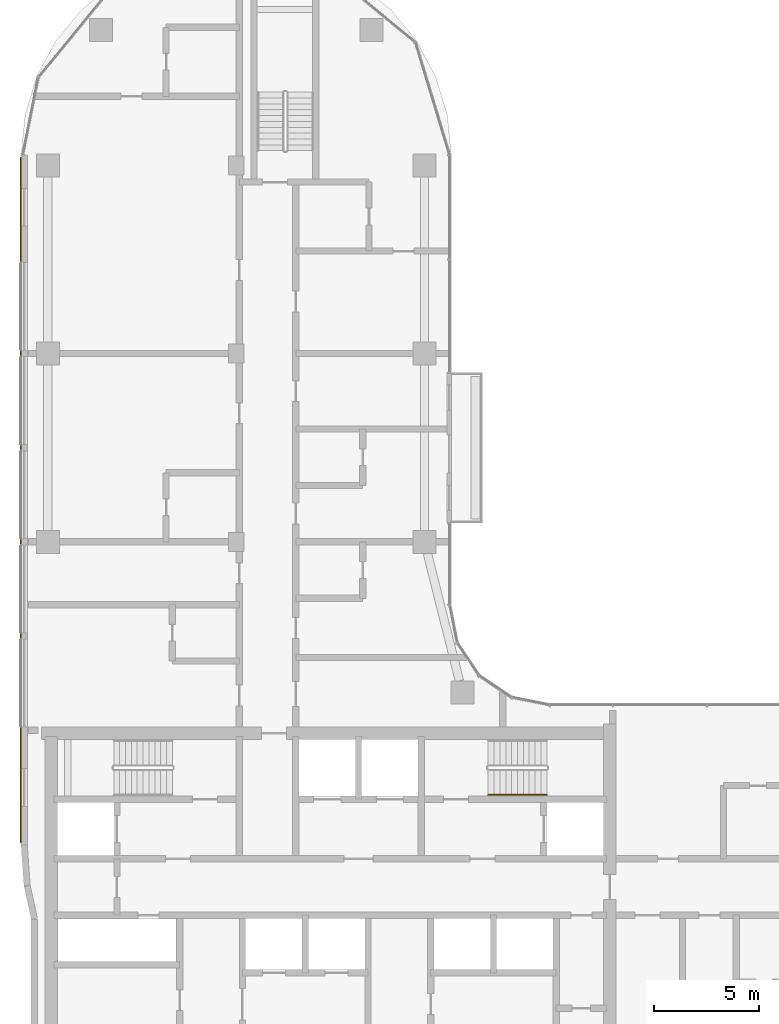
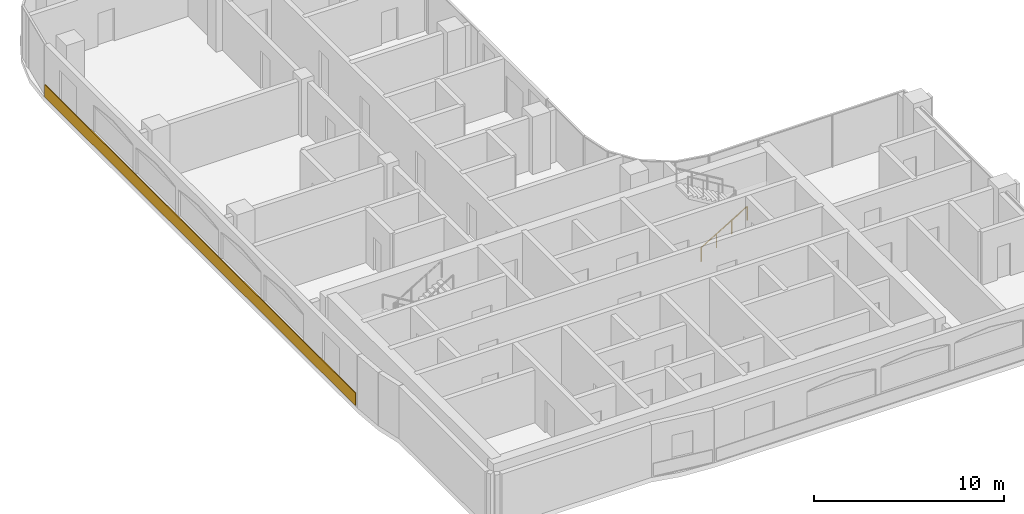
# One storey, part 19 of 23: 1 covering, 1 railing.
"""IFC4 building model written with IfcOpenShell, lengths in metres."""

from ifc_helpers import new_model, si_unit, direction, frame, origin, origin_2d, place, context, subcontext, project, spatial, rectangle, circle, extrude, material, layer, layer_set, type_object, element, save


model = new_model("IFC4")

# Units and contexts
model_context = context("Model", 3, precision=1e-05, world=origin(), true_north=direction((0.0, 1.0)))
body_context = subcontext(model_context, "Body", "Model", "MODEL_VIEW")
ifc_project = project(units=[si_unit("LENGTHUNIT", "METRE"), si_unit("AREAUNIT", "SQUARE_METRE"), si_unit("VOLUMEUNIT", "CUBIC_METRE"), si_unit("PLANEANGLEUNIT", "RADIAN"), si_unit("MASSUNIT", "GRAM", prefix="KILO")], contexts=[model_context])

# Site, building, storey
site_placement = place(None, origin())
site = spatial("IfcSite", under=ifc_project, at=site_placement, CompositionType="ELEMENT")
building_placement = place(site_placement, origin())
building = spatial("IfcBuilding", under=site, at=building_placement, Name="Ogive Portal Towers", CompositionType="ELEMENT")
storey_placement = place(building_placement, frame((0.0, 0.0, 164.39990234375)))
storey = spatial("IfcBuildingStorey", under=building, at=storey_placement, Name="L40", CompositionType="ELEMENT", Elevation=164.39990234375)

# Railing
ifc_material_1 = material(Name="Stainless steel handrail", Category="steel")
railing_type = type_object("IfcRailingType", Name="INT-HANDRAIL", PredefinedType="HANDRAIL", material=ifc_material_1)
railing_placement = place(storey_placement, frame((52.550048828125, 36.39990234375, 0.168212890625)))
element("IfcRailing", 1, at=railing_placement, inside=storey, type_object=railing_type, Name="L40 ST-A2 stair handrail 1", PredefinedType="HANDRAIL", context=body_context, shape_type="SweptSolid", body=[
    extrude(circle(Radius=0.02392578125, at=origin_2d()), frame((0.0, 0.0, 0.8759765625), z_axis=(0.857242210791, 0.0, 0.514913383045), x_axis=(0.0, 1.0, 0.0)), (0.0, 0.0, 1.0), 3.266357421875),
    extrude(circle(Radius=0.02099609375, at=origin_2d()), origin(), (0.0, 0.0, 1.0), 0.851806640625),
    extrude(circle(Radius=0.02099609375, at=origin_2d()), frame((0.933349609375, 0.0, 0.560546875)), (0.0, 0.0, 1.0), 0.851806640625),
    extrude(circle(Radius=0.02099609375, at=origin_2d()), frame((1.86669921875, 0.0, 1.121337890625)), (0.0, 0.0, 1.0), 0.851806640625),
    extrude(circle(Radius=0.02099609375, at=origin_2d()), frame((2.800048828125, 0.0, 1.681884765625)), (0.0, 0.0, 1.0), 0.851806640625),
])

# Covering
ifc_material_2 = material(Name="Limestone cladding on lightweight block wall", Category="masonry")
ifc_layer = layer(ifc_material_2, 0.050048828125)
ifc_layer_set = layer_set([ifc_layer], Name="SCREEN PERFORATED STONE")
covering_type = type_object("IfcCoveringType", Name="SCREEN PERFORATED STONE", PredefinedType="CLADDING", material=ifc_layer_set)
covering_placement = place(storey_placement, frame((30.18994140625, 50.50146484375, 0.10009765625), z_axis=(0.0, 0.0, 1.0), x_axis=(0.0, -1.0, 0.0)))
element("IfcCovering", 2, at=covering_placement, inside=storey, type_object=covering_type, Name="Tracery screen", PredefinedType="CLADDING", context=body_context, shape_type="SweptSolid", body=[
    extrude(rectangle(XDim=32.781494140625, YDim=0.050048828125, at=origin_2d()), origin(), (0.0, 0.0, 1.0), 0.800048828125),
])

save(model, "model.ifc")
